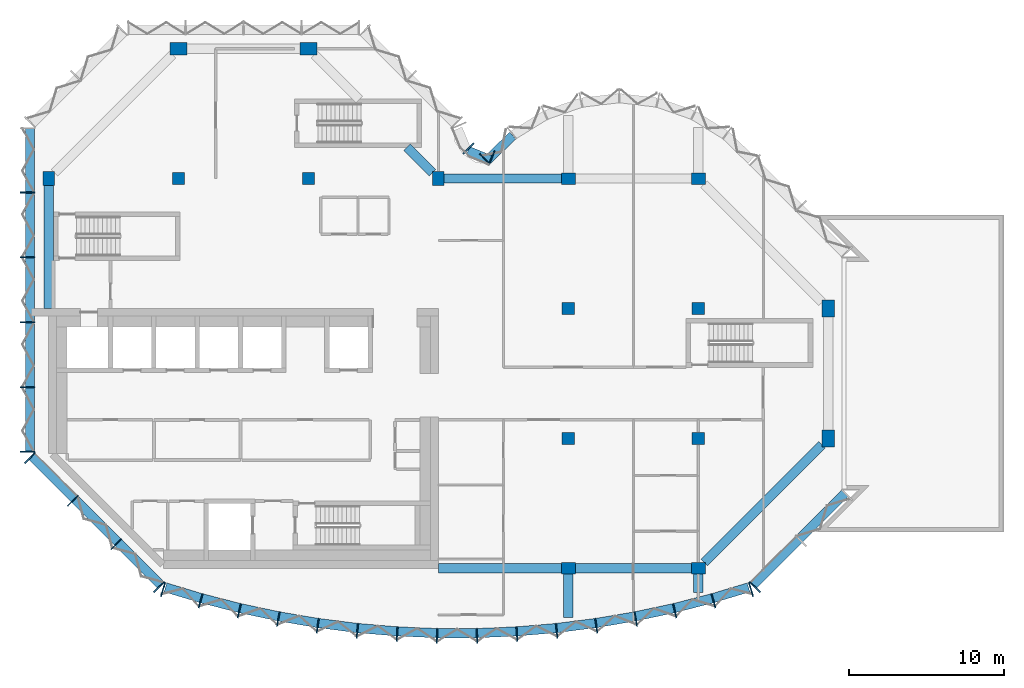
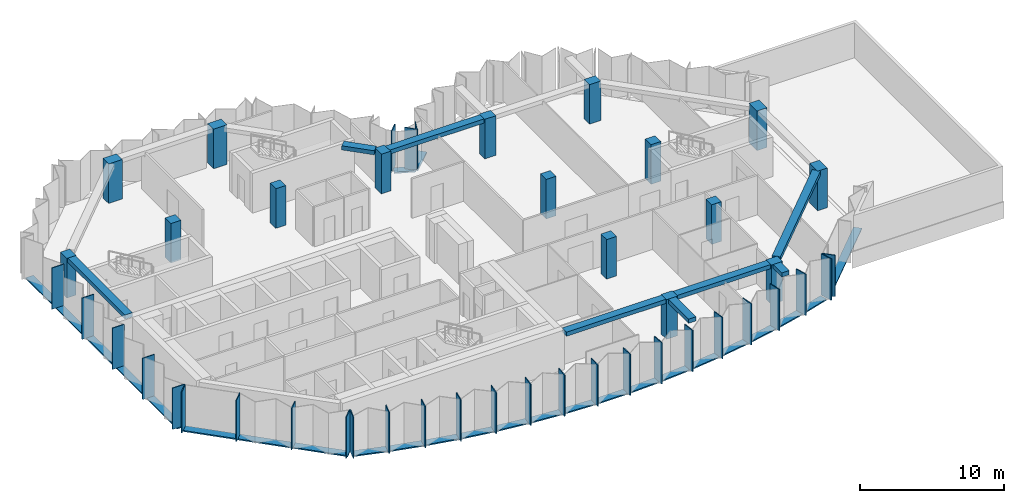
# One storey, part 1 of 9: 49 members, 16 columns, 8 beams, 6 elements without a shape of their own.
"""IFC4 building model written with IfcOpenShell, lengths in metres."""

from ifc_helpers import new_model, si_unit, direction, frame, origin, origin_2d, place, context, subcontext, project, spatial, rectangle, extrude, material, material_profile, profile_set, type_object, element, aggregate, save


model = new_model("IFC4")

# Units and contexts
model_context = context("Model", 3, precision=1e-05, world=origin(), true_north=direction((0.0, 1.0)))
body_context = subcontext(model_context, "Body", "Model", "MODEL_VIEW")
ifc_project = project(units=[si_unit("LENGTHUNIT", "METRE"), si_unit("AREAUNIT", "SQUARE_METRE"), si_unit("VOLUMEUNIT", "CUBIC_METRE"), si_unit("PLANEANGLEUNIT", "RADIAN"), si_unit("MASSUNIT", "GRAM", prefix="KILO")], contexts=[model_context])

# Site, building, storey
site_placement = place(None, origin())
site = spatial("IfcSite", under=ifc_project, at=site_placement, CompositionType="ELEMENT")
building_placement = place(site_placement, origin())
building = spatial("IfcBuilding", under=site, at=building_placement, Name="Brevane Broadcast Tower", CompositionType="ELEMENT")
storey_placement = place(building_placement, frame((0.0, 0.0, 222.89990234375)))
storey = spatial("IfcBuildingStorey", under=building, at=storey_placement, Name="L56", CompositionType="ELEMENT", Elevation=222.89990234375)

# Columns
ifc_material_1 = material(Name="Concrete C50/60", Category="concrete")
ifc_material_profile_1 = material_profile(ifc_material_1, rectangle(XDim=0.75, YDim=0.89990234375, at=origin_2d()), Name="RC 750x900")
ifc_profile_set_1 = profile_set([ifc_material_profile_1], Name="Concrete C50/60")
column_type_1 = type_object("IfcColumnType", Name="RC COLUMN EDGE 750x900 C50/60", PredefinedType="COLUMN", material=ifc_profile_set_1)
for number, where, z_axis, x_axis, name in (
    (1, (0.0, 25.199951171875, 0.0), (0.0, 0.0, 1.0), (1.0, 0.0, 0.0), "CE14 1/D"),
    (2, (25.199951171875, 25.199951171875, 0.0), (0.0, 0.0, 1.0), (1.0, 0.0, 0.0), "CE14 4/D"),
    (3, (33.60009765625, 0.0, 0.0), (0.0, 0.0, 1.0), (0.0, 1.0, 0.0), "CE14 5/A"),
    (4, (33.60009765625, 25.199951171875, 0.0), (0.0, 0.0, 1.0), (0.0, 1.0, 0.0), "CE14 5/D"),
    (5, (42.0, 0.0, 0.0), (0.0, 0.0, 1.0), (0.0, 1.0, 0.0), "CE14 6/A"),
    (6, (42.0, 25.199951171875, 0.0), (0.0, 0.0, 1.0), (0.0, 1.0, 0.0), "CE14 6/D"),
):
    element("IfcColumn", number, at=place(storey_placement, frame(where, z_axis=z_axis, x_axis=x_axis)), inside=storey, type_object=column_type_1, Name=name, PredefinedType="COLUMN", context=body_context, shape_type="SweptSolid", body=[
        extrude(rectangle(XDim=0.75, YDim=0.89990234375, at=origin_2d()), origin(), (0.0, 0.0, 1.0), 3.35009765625),
    ])
ifc_material_profile_2 = material_profile(ifc_material_1, rectangle(XDim=0.800048828125, YDim=0.800048828125, at=origin_2d()), Name="RC 800x800")
ifc_profile_set_2 = profile_set([ifc_material_profile_2], Name="Concrete C50/60")
column_type_2 = type_object("IfcColumnType", Name="RC COLUMN INTERIOR 800x800 C50/60", PredefinedType="COLUMN", material=ifc_profile_set_2)
for number, where, z_axis, x_axis, name in (
    (7, (8.39990234375, 25.199951171875, 0.0), (0.0, 0.0, 1.0), (1.0, 0.0, 0.0), "CI15 2/D"),
    (8, (16.800048828125, 25.199951171875, 0.0), (0.0, 0.0, 1.0), (1.0, 0.0, 0.0), "CI15 3/D"),
    (9, (33.60009765625, 8.39990234375, 0.0), (0.0, 0.0, 1.0), (1.0, 0.0, 0.0), "CI15 5/B"),
    (10, (33.60009765625, 16.800048828125, 0.0), (0.0, 0.0, 1.0), (1.0, 0.0, 0.0), "CI15 5/C"),
    (11, (42.0, 8.39990234375, 0.0), (0.0, 0.0, 1.0), (1.0, 0.0, 0.0), "CI15 6/B"),
    (12, (42.0, 16.800048828125, 0.0), (0.0, 0.0, 1.0), (1.0, 0.0, 0.0), "CI15 6/C"),
):
    element("IfcColumn", number, at=place(storey_placement, frame(where, z_axis=z_axis, x_axis=x_axis)), inside=storey, type_object=column_type_2, Name=name, PredefinedType="COLUMN", context=body_context, shape_type="SweptSolid", body=[
        extrude(rectangle(XDim=0.800048828125, YDim=0.800048828125, at=origin_2d()), origin(), (0.0, 0.0, 1.0), 3.35009765625),
    ])
ifc_material_profile_3 = material_profile(ifc_material_1, rectangle(XDim=0.800048828125, YDim=1.10009765625, at=origin_2d()), Name="RC 800x1100")
ifc_profile_set_3 = profile_set([ifc_material_profile_3], Name="Concrete C50/60")
column_type_3 = type_object("IfcColumnType", Name="RC COLUMN WING-END 800x1100 C50/60", PredefinedType="COLUMN", material=ifc_profile_set_3)
for number, where, z_axis, x_axis, name in (
    (13, (8.39990234375, 33.60009765625, 0.0), (0.0, 0.0, 1.0), (0.0, 1.0, 0.0), "CW16 2/E"),
    (14, (16.800048828125, 33.60009765625, 0.0), (0.0, 0.0, 1.0), (0.0, 1.0, 0.0), "CW16 3/E"),
    (15, (50.39990234375, 8.39990234375, 0.0), (0.0, 0.0, 1.0), (1.0, 0.0, 0.0), "CW16 7/B"),
    (16, (50.39990234375, 16.800048828125, 0.0), (0.0, 0.0, 1.0), (1.0, 0.0, 0.0), "CW16 7/C"),
):
    element("IfcColumn", number, at=place(storey_placement, frame(where, z_axis=z_axis, x_axis=x_axis)), inside=storey, type_object=column_type_3, Name=name, PredefinedType="COLUMN", context=body_context, shape_type="SweptSolid", body=[
        extrude(rectangle(XDim=0.800048828125, YDim=1.10009765625, at=origin_2d()), origin(), (0.0, 0.0, 1.0), 3.35009765625),
    ])

# Curtain wall, members
ifc_material_2 = material(Name="Aluminium 6063-T6 bronze anodised", Category="aluminium")
curtain_wall_type = type_object("IfcCurtainWallType", Name="CW-1 curtain wall", PredefinedType="NOTDEFINED", material=ifc_material_2)
curtain_wall_1_placement = place(storey_placement, origin())
curtain_wall_1 = element("IfcCurtainWall", 17, at=curtain_wall_1_placement, inside=storey, type_object=curtain_wall_type, Name="CW-1 typical tilted unit L56 south bow", PredefinedType="NOTDEFINED")
ifc_material_profile_4 = material_profile(ifc_material_2, rectangle(XDim=0.949951171875, YDim=0.070068359375, at=origin_2d()), Name="RECT 70x950")
ifc_profile_set_4 = profile_set([ifc_material_profile_4], Name="Aluminium 6063-T6 bronze anodised")
member_type_1 = type_object("IfcMemberType", Name="CW-1 mullion 70x950", PredefinedType="MULLION", material=ifc_profile_set_4)
member_1_placement = place(storey_placement, frame((7.396240234375, -1.36474609375, -0.14990234375), z_axis=(0.0, 0.0, 1.0), x_axis=(0.288968122518, 0.957338719664, 0.0)))
member_1 = element("IfcMember", 18, at=member_1_placement, type_object=member_type_1, Name="CW-1 mullion", PredefinedType="MULLION", context=body_context, shape_type="SweptSolid", body=[
    extrude(rectangle(XDim=0.949951171875, YDim=0.070068359375, at=origin_2d()), origin(), (0.0, 0.0, 1.0), 3.5),
])
member_2_placement = place(storey_placement, frame((9.824951171875, -2.097900390625, -0.14990234375), z_axis=(0.0, 0.0, 1.0), x_axis=(0.268915519935, 0.963163767559, 0.0)))
member_2 = element("IfcMember", 19, at=member_2_placement, type_object=member_type_1, Name="CW-1 mullion", PredefinedType="MULLION", context=body_context, shape_type="SweptSolid", body=[
    extrude(rectangle(XDim=0.949951171875, YDim=0.070068359375, at=origin_2d()), origin(), (0.0, 0.0, 1.0), 3.5),
])
member_3_placement = place(storey_placement, frame((12.325439453125, -2.739990234375, -0.14990234375), z_axis=(0.0, 0.0, 1.0), x_axis=(0.228467410001, 0.97355156133, 0.0)))
member_3 = element("IfcMember", 20, at=member_3_placement, type_object=member_type_1, Name="CW-1 mullion", PredefinedType="MULLION", context=body_context, shape_type="SweptSolid", body=[
    extrude(rectangle(XDim=0.949951171875, YDim=0.070068359375, at=origin_2d()), origin(), (0.0, 0.0, 1.0), 3.5),
])
member_4_placement = place(storey_placement, frame((14.8505859375, -3.277099609375, -0.14990234375), z_axis=(0.0, 0.0, 1.0), x_axis=(0.187620976959, 0.982241502384, 0.0)))
member_4 = element("IfcMember", 21, at=member_4_placement, type_object=member_type_1, Name="CW-1 mullion", PredefinedType="MULLION", context=body_context, shape_type="SweptSolid", body=[
    extrude(rectangle(XDim=0.949951171875, YDim=0.070068359375, at=origin_2d()), origin(), (0.0, 0.0, 1.0), 3.5),
])
member_5_placement = place(storey_placement, frame((17.395751953125, -3.70849609375, -0.14990234375), z_axis=(0.0, 0.0, 1.0), x_axis=(0.146447392256, 0.989218459847, 0.0)))
member_5 = element("IfcMember", 22, at=member_5_placement, type_object=member_type_1, Name="CW-1 mullion", PredefinedType="MULLION", context=body_context, shape_type="SweptSolid", body=[
    extrude(rectangle(XDim=0.949951171875, YDim=0.070068359375, at=origin_2d()), origin(), (0.0, 0.0, 1.0), 3.5),
])
member_6_placement = place(storey_placement, frame((19.95703125, -4.033203125, -0.14990234375), z_axis=(0.0, 0.0, 1.0), x_axis=(0.105018395305, 0.994470279419, 0.0)))
member_6 = element("IfcMember", 23, at=member_6_placement, type_object=member_type_1, Name="CW-1 mullion", PredefinedType="MULLION", context=body_context, shape_type="SweptSolid", body=[
    extrude(rectangle(XDim=0.949951171875, YDim=0.070068359375, at=origin_2d()), origin(), (0.0, 0.0, 1.0), 3.5),
])
member_7_placement = place(storey_placement, frame((22.529296875, -4.250732421875, -0.14990234375), z_axis=(0.0, 0.0, 1.0), x_axis=(0.063406169479, 0.99798780437, 0.0)))
member_7 = element("IfcMember", 24, at=member_7_placement, type_object=member_type_1, Name="CW-1 mullion", PredefinedType="MULLION", context=body_context, shape_type="SweptSolid", body=[
    extrude(rectangle(XDim=0.949951171875, YDim=0.070068359375, at=origin_2d()), origin(), (0.0, 0.0, 1.0), 3.5),
])
member_8_placement = place(storey_placement, frame((25.10888671875, -4.360595703125, -0.14990234375), z_axis=(0.0, 0.0, 1.0), x_axis=(0.021281828243, 0.999773516246, 0.0)))
member_8 = element("IfcMember", 25, at=member_8_placement, type_object=member_type_1, Name="CW-1 mullion", PredefinedType="MULLION", context=body_context, shape_type="SweptSolid", body=[
    extrude(rectangle(XDim=0.949951171875, YDim=0.070068359375, at=origin_2d()), origin(), (0.0, 0.0, 1.0), 3.5),
])
member_9_placement = place(storey_placement, frame((27.691162109375, -4.360595703125, -0.14990234375), z_axis=(0.0, 0.0, 1.0), x_axis=(-0.021281828243, 0.999773516246, 0.0)))
member_9 = element("IfcMember", 26, at=member_9_placement, type_object=member_type_1, Name="CW-1 mullion", PredefinedType="MULLION", context=body_context, shape_type="SweptSolid", body=[
    extrude(rectangle(XDim=0.949951171875, YDim=0.070068359375, at=origin_2d()), origin(), (0.0, 0.0, 1.0), 3.5),
])
member_10_placement = place(storey_placement, frame((30.2705078125, -4.250732421875, -0.14990234375), z_axis=(0.0, 0.0, 1.0), x_axis=(-0.063406169479, 0.99798780437, 0.0)))
member_10 = element("IfcMember", 27, at=member_10_placement, type_object=member_type_1, Name="CW-1 mullion", PredefinedType="MULLION", context=body_context, shape_type="SweptSolid", body=[
    extrude(rectangle(XDim=0.949951171875, YDim=0.070068359375, at=origin_2d()), origin(), (0.0, 0.0, 1.0), 3.5),
])
member_11_placement = place(storey_placement, frame((32.843017578125, -4.033203125, -0.14990234375), z_axis=(0.0, 0.0, 1.0), x_axis=(-0.105018395305, 0.994470279419, 0.0)))
member_11 = element("IfcMember", 28, at=member_11_placement, type_object=member_type_1, Name="CW-1 mullion", PredefinedType="MULLION", context=body_context, shape_type="SweptSolid", body=[
    extrude(rectangle(XDim=0.949951171875, YDim=0.070068359375, at=origin_2d()), origin(), (0.0, 0.0, 1.0), 3.5),
])
member_12_placement = place(storey_placement, frame((35.404296875, -3.70849609375, -0.14990234375), z_axis=(0.0, 0.0, 1.0), x_axis=(-0.146447392256, 0.989218459847, 0.0)))
member_12 = element("IfcMember", 29, at=member_12_placement, type_object=member_type_1, Name="CW-1 mullion", PredefinedType="MULLION", context=body_context, shape_type="SweptSolid", body=[
    extrude(rectangle(XDim=0.949951171875, YDim=0.070068359375, at=origin_2d()), origin(), (0.0, 0.0, 1.0), 3.5),
])
member_13_placement = place(storey_placement, frame((37.949462890625, -3.277099609375, -0.14990234375), z_axis=(0.0, 0.0, 1.0), x_axis=(-0.187620976959, 0.982241502384, 0.0)))
member_13 = element("IfcMember", 30, at=member_13_placement, type_object=member_type_1, Name="CW-1 mullion", PredefinedType="MULLION", context=body_context, shape_type="SweptSolid", body=[
    extrude(rectangle(XDim=0.949951171875, YDim=0.070068359375, at=origin_2d()), origin(), (0.0, 0.0, 1.0), 3.5),
])
member_14_placement = place(storey_placement, frame((40.474609375, -2.739990234375, -0.14990234375), z_axis=(0.0, 0.0, 1.0), x_axis=(-0.228467410001, 0.97355156133, 0.0)))
member_14 = element("IfcMember", 31, at=member_14_placement, type_object=member_type_1, Name="CW-1 mullion", PredefinedType="MULLION", context=body_context, shape_type="SweptSolid", body=[
    extrude(rectangle(XDim=0.949951171875, YDim=0.070068359375, at=origin_2d()), origin(), (0.0, 0.0, 1.0), 3.5),
])
member_15_placement = place(storey_placement, frame((42.97509765625, -2.097900390625, -0.14990234375), z_axis=(0.0, 0.0, 1.0), x_axis=(-0.268915519935, 0.963163767559, 0.0)))
member_15 = element("IfcMember", 32, at=member_15_placement, type_object=member_type_1, Name="CW-1 mullion", PredefinedType="MULLION", context=body_context, shape_type="SweptSolid", body=[
    extrude(rectangle(XDim=0.949951171875, YDim=0.070068359375, at=origin_2d()), origin(), (0.0, 0.0, 1.0), 3.5),
])
member_16_placement = place(storey_placement, frame((45.40380859375, -1.36474609375, -0.14990234375), z_axis=(0.0, 0.0, 1.0), x_axis=(-0.288968122518, 0.957338719664, 0.0)))
member_16 = element("IfcMember", 33, at=member_16_placement, type_object=member_type_1, Name="CW-1 mullion", PredefinedType="MULLION", context=body_context, shape_type="SweptSolid", body=[
    extrude(rectangle(XDim=0.949951171875, YDim=0.070068359375, at=origin_2d()), origin(), (0.0, 0.0, 1.0), 3.5),
])

# Curtain wall, member
curtain_wall_2_placement = place(storey_placement, origin())
curtain_wall_2 = element("IfcCurtainWall", 34, at=curtain_wall_2_placement, inside=storey, type_object=curtain_wall_type, Name="CW-1 typical tilted unit L56 south-east chamfer", PredefinedType="NOTDEFINED")
member_17_placement = place(storey_placement, frame((45.66064453125, -1.211181640625, -0.14990234375), z_axis=(0.0, 0.0, 1.0), x_axis=(-0.707106781187, 0.707106781187, 0.0)))
member_17 = element("IfcMember", 35, at=member_17_placement, type_object=member_type_1, Name="CW-1 mullion", PredefinedType="MULLION", context=body_context, shape_type="SweptSolid", body=[
    extrude(rectangle(XDim=0.949951171875, YDim=0.070068359375, at=origin_2d()), origin(), (0.0, 0.0, 1.0), 3.5),
])

curtain_wall_3_placement = place(storey_placement, origin())
curtain_wall_3 = element("IfcCurtainWall", 36, at=curtain_wall_3_placement, inside=storey, type_object=curtain_wall_type, Name="CW-1 typical tilted unit L56 east bow", PredefinedType="NOTDEFINED")
member_18_placement = place(storey_placement, frame((28.194091796875, 26.465087890625, -0.14990234375), z_axis=(0.0, 0.0, 1.0), x_axis=(0.696812089895, -0.717253728729, 0.0)))
member_18 = element("IfcMember", 37, at=member_18_placement, type_object=member_type_1, Name="CW-1 mullion", PredefinedType="MULLION", context=body_context, shape_type="SweptSolid", body=[
    extrude(rectangle(XDim=0.949951171875, YDim=0.070068359375, at=origin_2d()), origin(), (0.0, 0.0, 1.0), 3.5),
])

# Curtain wall, members
curtain_wall_4_placement = place(storey_placement, origin())
curtain_wall_4 = element("IfcCurtainWall", 38, at=curtain_wall_4_placement, inside=storey, type_object=curtain_wall_type, Name="CW-1 typical tilted unit L56 inner corner", PredefinedType="NOTDEFINED")
member_19_placement = place(storey_placement, frame((28.6494140625, 26.55224609375, -0.14990234375), z_axis=(0.0, 0.0, 1.0), x_axis=(-0.382683432365, -0.923879532511, 0.0)))
member_19 = element("IfcMember", 39, at=member_19_placement, type_object=member_type_1, Name="CW-1 mullion", PredefinedType="MULLION", context=body_context, shape_type="SweptSolid", body=[
    extrude(rectangle(XDim=0.949951171875, YDim=0.070068359375, at=origin_2d()), origin(), (0.0, 0.0, 1.0), 3.5),
])
member_20_placement = place(storey_placement, frame((27.138916015625, 27.138916015625, -0.14990234375), z_axis=(0.0, 0.0, 1.0), x_axis=(-0.707106781187, -0.707106781187, 0.0)))
member_20 = element("IfcMember", 40, at=member_20_placement, type_object=member_type_1, Name="CW-1 mullion", PredefinedType="MULLION", context=body_context, shape_type="SweptSolid", body=[
    extrude(rectangle(XDim=0.949951171875, YDim=0.070068359375, at=origin_2d()), origin(), (0.0, 0.0, 1.0), 3.5),
])

curtain_wall_5_placement = place(storey_placement, origin())
curtain_wall_5 = element("IfcCurtainWall", 41, at=curtain_wall_5_placement, inside=storey, type_object=curtain_wall_type, Name="CW-1 typical tilted unit L56 west face", PredefinedType="NOTDEFINED")
member_21_placement = place(storey_placement, frame((-1.375, 24.300048828125, -0.14990234375), z_axis=(0.0, 0.0, 1.0), x_axis=(1.0, 0.0, 0.0)))
member_21 = element("IfcMember", 42, at=member_21_placement, type_object=member_type_1, Name="CW-1 mullion", PredefinedType="MULLION", context=body_context, shape_type="SweptSolid", body=[
    extrude(rectangle(XDim=0.949951171875, YDim=0.070068359375, at=origin_2d()), origin(), (0.0, 0.0, 1.0), 3.5),
])
member_22_placement = place(storey_placement, frame((-1.375, 20.10009765625, -0.14990234375), z_axis=(0.0, 0.0, 1.0), x_axis=(1.0, 0.0, 0.0)))
member_22 = element("IfcMember", 43, at=member_22_placement, type_object=member_type_1, Name="CW-1 mullion", PredefinedType="MULLION", context=body_context, shape_type="SweptSolid", body=[
    extrude(rectangle(XDim=0.949951171875, YDim=0.070068359375, at=origin_2d()), origin(), (0.0, 0.0, 1.0), 3.5),
])
member_23_placement = place(storey_placement, frame((-1.375, 15.89990234375, -0.14990234375), z_axis=(0.0, 0.0, 1.0), x_axis=(1.0, 0.0, 0.0)))
member_23 = element("IfcMember", 44, at=member_23_placement, type_object=member_type_1, Name="CW-1 mullion", PredefinedType="MULLION", context=body_context, shape_type="SweptSolid", body=[
    extrude(rectangle(XDim=0.949951171875, YDim=0.070068359375, at=origin_2d()), origin(), (0.0, 0.0, 1.0), 3.5),
])
member_24_placement = place(storey_placement, frame((-1.375, 11.699951171875, -0.14990234375), z_axis=(0.0, 0.0, 1.0), x_axis=(1.0, 0.0, 0.0)))
member_24 = element("IfcMember", 45, at=member_24_placement, type_object=member_type_1, Name="CW-1 mullion", PredefinedType="MULLION", context=body_context, shape_type="SweptSolid", body=[
    extrude(rectangle(XDim=0.949951171875, YDim=0.070068359375, at=origin_2d()), origin(), (0.0, 0.0, 1.0), 3.5),
])
member_25_placement = place(storey_placement, frame((-1.375, 7.534912109375, -0.14990234375), z_axis=(0.0, 0.0, 1.0), x_axis=(1.0, 0.0, 0.0)))
member_25 = element("IfcMember", 46, at=member_25_placement, type_object=member_type_1, Name="CW-1 mullion", PredefinedType="MULLION", context=body_context, shape_type="SweptSolid", body=[
    extrude(rectangle(XDim=0.949951171875, YDim=0.070068359375, at=origin_2d()), origin(), (0.0, 0.0, 1.0), 3.5),
])

curtain_wall_6_placement = place(storey_placement, origin())
curtain_wall_6 = element("IfcCurtainWall", 47, at=curtain_wall_6_placement, inside=storey, type_object=curtain_wall_type, Name="CW-1 typical tilted unit L56 south-west chamfer", PredefinedType="NOTDEFINED")
member_26_placement = place(storey_placement, frame((-1.211181640625, 7.139404296875, -0.14990234375), z_axis=(0.0, 0.0, 1.0), x_axis=(0.707106781187, 0.707106781187, 0.0)))
member_26 = element("IfcMember", 48, at=member_26_placement, type_object=member_type_1, Name="CW-1 mullion", PredefinedType="MULLION", context=body_context, shape_type="SweptSolid", body=[
    extrude(rectangle(XDim=0.949951171875, YDim=0.070068359375, at=origin_2d()), origin(), (0.0, 0.0, 1.0), 3.5),
])
member_27_placement = place(storey_placement, frame((1.564208984375, 4.364013671875, -0.14990234375), z_axis=(0.0, 0.0, 1.0), x_axis=(0.707106781187, 0.707106781187, 0.0)))
member_27 = element("IfcMember", 49, at=member_27_placement, type_object=member_type_1, Name="CW-1 mullion", PredefinedType="MULLION", context=body_context, shape_type="SweptSolid", body=[
    extrude(rectangle(XDim=0.949951171875, YDim=0.070068359375, at=origin_2d()), origin(), (0.0, 0.0, 1.0), 3.5),
])
member_28_placement = place(storey_placement, frame((4.364013671875, 1.564208984375, -0.14990234375), z_axis=(0.0, 0.0, 1.0), x_axis=(0.707106781187, 0.707106781187, 0.0)))
member_28 = element("IfcMember", 50, at=member_28_placement, type_object=member_type_1, Name="CW-1 mullion", PredefinedType="MULLION", context=body_context, shape_type="SweptSolid", body=[
    extrude(rectangle(XDim=0.949951171875, YDim=0.070068359375, at=origin_2d()), origin(), (0.0, 0.0, 1.0), 3.5),
])
member_29_placement = place(storey_placement, frame((7.139404296875, -1.211181640625, -0.14990234375), z_axis=(0.0, 0.0, 1.0), x_axis=(0.707106781187, 0.707106781187, 0.0)))
member_29 = element("IfcMember", 51, at=member_29_placement, type_object=member_type_1, Name="CW-1 mullion", PredefinedType="MULLION", context=body_context, shape_type="SweptSolid", body=[
    extrude(rectangle(XDim=0.949951171875, YDim=0.070068359375, at=origin_2d()), origin(), (0.0, 0.0, 1.0), 3.5),
])

# Member
ifc_material_profile_5 = material_profile(ifc_material_2, rectangle(XDim=0.60009765625, YDim=0.10009765625, at=origin_2d()), Name="RECT 100x600")
ifc_profile_set_5 = profile_set([ifc_material_profile_5], Name="Aluminium 6063-T6 bronze anodised")
member_type_2 = type_object("IfcMemberType", Name="CW-1 transom 100x600", PredefinedType="USERDEFINED", material=ifc_profile_set_5)
member_30_placement = place(storey_placement, frame((7.553955078125, -1.229736328125, -0.199951171875), z_axis=(0.957362578524, -0.288889067362, 0.0), x_axis=(0.288889067362, 0.957362578524, 0.0)))
member_30 = element("IfcMember", 52, at=member_30_placement, type_object=member_type_2, Name="CW-1 transom", ObjectType="TRANSOM", PredefinedType="USERDEFINED", context=body_context, shape_type="SweptSolid", body=[
    extrude(rectangle(XDim=0.60009765625, YDim=0.10009765625, at=origin_2d()), origin(), (0.0, 0.0, 1.0), 2.411865234375),
])

member_31_placement = place(storey_placement, frame((9.8759765625, -1.930419921875, -0.199951171875), z_axis=(0.968569727699, -0.248742201052, 0.0), x_axis=(0.248742201052, 0.968569727699, 0.0)))
member_31 = element("IfcMember", 53, at=member_31_placement, type_object=member_type_2, Name="CW-1 transom", ObjectType="TRANSOM", PredefinedType="USERDEFINED", context=body_context, shape_type="SweptSolid", body=[
    extrude(rectangle(XDim=0.60009765625, YDim=0.10009765625, at=origin_2d()), origin(), (0.0, 0.0, 1.0), 2.561767578125),
])

member_32_placement = place(storey_placement, frame((12.370361328125, -2.57080078125, -0.199951171875), z_axis=(0.978117897278, -0.208051385536, 0.0), x_axis=(0.208051385536, 0.978117897278, 0.0)))
member_32 = element("IfcMember", 54, at=member_32_placement, type_object=member_type_2, Name="CW-1 transom", ObjectType="TRANSOM", PredefinedType="USERDEFINED", context=body_context, shape_type="SweptSolid", body=[
    extrude(rectangle(XDim=0.60009765625, YDim=0.10009765625, at=origin_2d()), origin(), (0.0, 0.0, 1.0), 2.561767578125),
])

member_33_placement = place(storey_placement, frame((14.88916015625, -3.1064453125, -0.199951171875), z_axis=(0.985947338221, -0.167056416383, 0.0), x_axis=(0.167056416383, 0.985947338221, 0.0)))
member_33 = element("IfcMember", 55, at=member_33_placement, type_object=member_type_2, Name="CW-1 transom", ObjectType="TRANSOM", PredefinedType="USERDEFINED", context=body_context, shape_type="SweptSolid", body=[
    extrude(rectangle(XDim=0.60009765625, YDim=0.10009765625, at=origin_2d()), origin(), (0.0, 0.0, 1.0), 2.561767578125),
])

member_34_placement = place(storey_placement, frame((17.428466796875, -3.536376953125, -0.199951171875), z_axis=(0.99206678005, -0.12571198798, 0.0), x_axis=(0.12571198798, 0.99206678005, 0.0)))
member_34 = element("IfcMember", 56, at=member_34_placement, type_object=member_type_2, Name="CW-1 transom", ObjectType="TRANSOM", PredefinedType="USERDEFINED", context=body_context, shape_type="SweptSolid", body=[
    extrude(rectangle(XDim=0.60009765625, YDim=0.10009765625, at=origin_2d()), origin(), (0.0, 0.0, 1.0), 2.5615234375),
])

member_35_placement = place(storey_placement, frame((19.983154296875, -3.85986328125, -0.199951171875), z_axis=(0.99644513768, -0.084244214012, 0.0), x_axis=(0.084244214012, 0.99644513768, 0.0)))
member_35 = element("IfcMember", 57, at=member_35_placement, type_object=member_type_2, Name="CW-1 transom", ObjectType="TRANSOM", PredefinedType="USERDEFINED", context=body_context, shape_type="SweptSolid", body=[
    extrude(rectangle(XDim=0.60009765625, YDim=0.10009765625, at=origin_2d()), origin(), (0.0, 0.0, 1.0), 2.561767578125),
])

member_36_placement = place(storey_placement, frame((22.54931640625, -4.076416015625, -0.199951171875), z_axis=(0.999092306129, -0.042597697524, 0.0), x_axis=(0.042597697524, 0.999092306129, 0.0)))
member_36 = element("IfcMember", 58, at=member_36_placement, type_object=member_type_2, Name="CW-1 transom", ObjectType="TRANSOM", PredefinedType="USERDEFINED", context=body_context, shape_type="SweptSolid", body=[
    extrude(rectangle(XDim=0.60009765625, YDim=0.10009765625, at=origin_2d()), origin(), (0.0, 0.0, 1.0), 2.56201171875),
])

member_37_placement = place(storey_placement, frame((25.122314453125, -4.185546875, -0.199951171875), z_axis=(1.0, 0.0, 0.0), x_axis=(0.0, 1.0, 0.0)))
member_37 = element("IfcMember", 59, at=member_37_placement, type_object=member_type_2, Name="CW-1 transom", ObjectType="TRANSOM", PredefinedType="USERDEFINED", context=body_context, shape_type="SweptSolid", body=[
    extrude(rectangle(XDim=0.60009765625, YDim=0.10009765625, at=origin_2d()), origin(), (0.0, 0.0, 1.0), 2.56201171875),
])

member_38_placement = place(storey_placement, frame((27.691162109375, -4.185546875, -0.199951171875), z_axis=(0.999092133182, 0.042601753652, 0.0), x_axis=(-0.042601753652, 0.999092133182, 0.0)))
member_38 = element("IfcMember", 60, at=member_38_placement, type_object=member_type_2, Name="CW-1 transom", ObjectType="TRANSOM", PredefinedType="USERDEFINED", context=body_context, shape_type="SweptSolid", body=[
    extrude(rectangle(XDim=0.60009765625, YDim=0.10009765625, at=origin_2d()), origin(), (0.0, 0.0, 1.0), 2.561767578125),
])

member_39_placement = place(storey_placement, frame((30.26416015625, -4.07568359375, -0.199951171875), z_axis=(0.99644513768, 0.084244214012, 0.0), x_axis=(-0.084244214012, 0.99644513768, 0.0)))
member_39 = element("IfcMember", 61, at=member_39_placement, type_object=member_type_2, Name="CW-1 transom", ObjectType="TRANSOM", PredefinedType="USERDEFINED", context=body_context, shape_type="SweptSolid", body=[
    extrude(rectangle(XDim=0.60009765625, YDim=0.10009765625, at=origin_2d()), origin(), (0.0, 0.0, 1.0), 2.561767578125),
])

member_40_placement = place(storey_placement, frame((32.830322265625, -3.8583984375, -0.199951171875), z_axis=(0.99206678005, 0.12571198798, 0.0), x_axis=(-0.12571198798, 0.99206678005, 0.0)))
member_40 = element("IfcMember", 62, at=member_40_placement, type_object=member_type_2, Name="CW-1 transom", ObjectType="TRANSOM", PredefinedType="USERDEFINED", context=body_context, shape_type="SweptSolid", body=[
    extrude(rectangle(XDim=0.60009765625, YDim=0.10009765625, at=origin_2d()), origin(), (0.0, 0.0, 1.0), 2.5615234375),
])

member_41_placement = place(storey_placement, frame((35.385009765625, -3.534423828125, -0.199951171875), z_axis=(0.9859446783, 0.167072114167, 0.0), x_axis=(-0.167072114167, 0.9859446783, 0.0)))
member_41 = element("IfcMember", 63, at=member_41_placement, type_object=member_type_2, Name="CW-1 transom", ObjectType="TRANSOM", PredefinedType="USERDEFINED", context=body_context, shape_type="SweptSolid", body=[
    extrude(rectangle(XDim=0.60009765625, YDim=0.10009765625, at=origin_2d()), origin(), (0.0, 0.0, 1.0), 2.5615234375),
])

member_42_placement = place(storey_placement, frame((37.924072265625, -3.103759765625, -0.199951171875), z_axis=(0.978117897278, 0.208051385536, 0.0), x_axis=(-0.208051385536, 0.978117897278, 0.0)))
member_42 = element("IfcMember", 64, at=member_42_placement, type_object=member_type_2, Name="CW-1 transom", ObjectType="TRANSOM", PredefinedType="USERDEFINED", context=body_context, shape_type="SweptSolid", body=[
    extrude(rectangle(XDim=0.60009765625, YDim=0.10009765625, at=origin_2d()), origin(), (0.0, 0.0, 1.0), 2.561767578125),
])

member_43_placement = place(storey_placement, frame((40.44287109375, -2.567626953125, -0.199951171875), z_axis=(0.968569727699, 0.248742201052, 0.0), x_axis=(-0.248742201052, 0.968569727699, 0.0)))
member_43 = element("IfcMember", 65, at=member_43_placement, type_object=member_type_2, Name="CW-1 transom", ObjectType="TRANSOM", PredefinedType="USERDEFINED", context=body_context, shape_type="SweptSolid", body=[
    extrude(rectangle(XDim=0.60009765625, YDim=0.10009765625, at=origin_2d()), origin(), (0.0, 0.0, 1.0), 2.561767578125),
])

member_44_placement = place(storey_placement, frame((42.93701171875, -1.926513671875, -0.199951171875), z_axis=(0.957362578524, 0.288889067362, 0.0), x_axis=(-0.288889067362, 0.957362578524, 0.0)))
member_44 = element("IfcMember", 66, at=member_44_placement, type_object=member_type_2, Name="CW-1 transom", ObjectType="TRANSOM", PredefinedType="USERDEFINED", context=body_context, shape_type="SweptSolid", body=[
    extrude(rectangle(XDim=0.60009765625, YDim=0.10009765625, at=origin_2d()), origin(), (0.0, 0.0, 1.0), 2.411865234375),
])

aggregate(curtain_wall_1, [member_1, member_2, member_3, member_4, member_5, member_6, member_7, member_8, member_9, member_10, member_11, member_12, member_13, member_14, member_15, member_16, member_30, member_31, member_32, member_33, member_34, member_35, member_36, member_37, member_38, member_39, member_40, member_41, member_42, member_43, member_44])

member_45_placement = place(storey_placement, frame((45.51220703125, -1.112060546875, -0.199951171875), z_axis=(0.707106781187, 0.707106781187, 0.0), x_axis=(-0.707106781187, 0.707106781187, 0.0)))
member_45 = element("IfcMember", 67, at=member_45_placement, type_object=member_type_2, Name="CW-1 transom", ObjectType="TRANSOM", PredefinedType="USERDEFINED", context=body_context, shape_type="SweptSolid", body=[
    extrude(rectangle(XDim=0.60009765625, YDim=0.10009765625, at=origin_2d()), origin(), (0.0, 0.0, 1.0), 8.4853515625),
])

aggregate(curtain_wall_2, [member_17, member_45])

member_46_placement = place(storey_placement, frame((29.99951171875, 27.974365234375, -0.199951171875), z_axis=(-0.71724215871, -0.696823999134, 0.0), x_axis=(0.696823999134, -0.71724215871, 0.0)))
member_46 = element("IfcMember", 68, at=member_46_placement, type_object=member_type_2, Name="CW-1 transom", ObjectType="TRANSOM", PredefinedType="USERDEFINED", context=body_context, shape_type="SweptSolid", body=[
    extrude(rectangle(XDim=0.60009765625, YDim=0.10009765625, at=origin_2d()), origin(), (0.0, 0.0, 1.0), 2.247802734375),
])

aggregate(curtain_wall_3, [member_18, member_46])

member_47_placement = place(storey_placement, frame((28.528076171875, 26.40673828125, -0.199951171875), z_axis=(-0.923883243627, 0.382674472816, 0.0), x_axis=(-0.382674472816, -0.923883243627, 0.0)))
member_47 = element("IfcMember", 69, at=member_47_placement, type_object=member_type_2, Name="CW-1 transom", ObjectType="TRANSOM", PredefinedType="USERDEFINED", context=body_context, shape_type="SweptSolid", body=[
    extrude(rectangle(XDim=0.60009765625, YDim=0.10009765625, at=origin_2d()), origin(), (0.0, 0.0, 1.0), 1.536865234375),
])

aggregate(curtain_wall_4, [member_19, member_20, member_47])

member_48_placement = place(storey_placement, frame((-1.199951171875, 28.5, -0.199951171875), z_axis=(0.0, -1.0, 0.0), x_axis=(1.0, 0.0, 0.0)))
member_48 = element("IfcMember", 70, at=member_48_placement, type_object=member_type_2, Name="CW-1 transom", ObjectType="TRANSOM", PredefinedType="USERDEFINED", context=body_context, shape_type="SweptSolid", body=[
    extrude(rectangle(XDim=0.60009765625, YDim=0.10009765625, at=origin_2d()), origin(), (0.0, 0.0, 1.0), 21.0),
])

aggregate(curtain_wall_5, [member_21, member_22, member_23, member_24, member_25, member_48])

member_49_placement = place(storey_placement, frame((-1.112060546875, 7.287841796875, -0.199951171875), z_axis=(0.707106781187, -0.707106781187, 0.0), x_axis=(0.707106781187, 0.707106781187, 0.0)))
member_49 = element("IfcMember", 71, at=member_49_placement, type_object=member_type_2, Name="CW-1 transom", ObjectType="TRANSOM", PredefinedType="USERDEFINED", context=body_context, shape_type="SweptSolid", body=[
    extrude(rectangle(XDim=0.60009765625, YDim=0.10009765625, at=origin_2d()), origin(), (0.0, 0.0, 1.0), 11.879150390625),
])

aggregate(curtain_wall_6, [member_26, member_27, member_28, member_29, member_49])

# Beams
ifc_material_3 = material(Name="Concrete C40/50", Category="concrete")
ifc_material_profile_6 = material_profile(ifc_material_3, rectangle(XDim=0.60009765625, YDim=0.35009765625, at=origin_2d()), Name="RC 600x350")
ifc_profile_set_6 = profile_set([ifc_material_profile_6], Name="Concrete C40/50")
beam_type_1 = type_object("IfcBeamType", Name="RC BRACKET BEAM 600x350 C40/50", PredefinedType="BEAM", material=ifc_profile_set_6)
beam_1_placement = place(storey_placement, frame((33.60009765625, -0.375, 3.175048828125), z_axis=(0.0, -1.0, 0.0), x_axis=(1.0, 0.0, 0.0)))
element("IfcBeam", 72, at=beam_1_placement, inside=storey, type_object=beam_type_1, Name="EB2 L56-1", PredefinedType="BEAM", context=body_context, shape_type="SweptSolid", body=[
    extrude(rectangle(XDim=0.60009765625, YDim=0.35009765625, at=origin_2d()), origin(), (0.0, 0.0, 1.0), 2.7958984375),
])
beam_2_placement = place(storey_placement, frame((42.0, -0.375, 3.175048828125), z_axis=(0.0, -1.0, 0.0), x_axis=(1.0, 0.0, 0.0)))
element("IfcBeam", 73, at=beam_2_placement, inside=storey, type_object=beam_type_1, Name="EB2 L56-3", PredefinedType="BEAM", context=body_context, shape_type="SweptSolid", body=[
    extrude(rectangle(XDim=0.60009765625, YDim=0.35009765625, at=origin_2d()), origin(), (0.0, 0.0, 1.0), 1.19384765625),
])
ifc_material_profile_7 = material_profile(ifc_material_3, rectangle(XDim=0.60009765625, YDim=0.35009765625, at=origin_2d()), Name="RC 600x350")
ifc_profile_set_7 = profile_set([ifc_material_profile_7], Name="Concrete C40/50")
beam_type_2 = type_object("IfcBeamType", Name="RC SPANDREL BEAM 600x350 C40/50", PredefinedType="SPANDREL", material=ifc_profile_set_7)
beam_3_placement = place(storey_placement, frame((25.199951171875, 0.0, 3.175048828125), z_axis=(1.0, 0.0, 0.0), x_axis=(0.0, 1.0, 0.0)))
element("IfcBeam", 74, at=beam_3_placement, inside=storey, type_object=beam_type_2, Name="EB1 L56-1", PredefinedType="SPANDREL", context=body_context, shape_type="SweptSolid", body=[
    extrude(rectangle(XDim=0.60009765625, YDim=0.35009765625, at=origin_2d()), origin(), (0.0, 0.0, 1.0), 7.949951171875),
])
beam_4_placement = place(storey_placement, frame((34.050048828125, 0.0, 3.175048828125), z_axis=(1.0, 0.0, 0.0), x_axis=(0.0, 1.0, 0.0)))
element("IfcBeam", 75, at=beam_4_placement, inside=storey, type_object=beam_type_2, Name="EB1 L56-2", PredefinedType="SPANDREL", context=body_context, shape_type="SweptSolid", body=[
    extrude(rectangle(XDim=0.60009765625, YDim=0.35009765625, at=origin_2d()), origin(), (0.0, 0.0, 1.0), 7.5),
])
beam_5_placement = place(storey_placement, frame((42.375, 0.375, 3.175048828125), z_axis=(0.707106781187, 0.707106781187, 0.0), x_axis=(-0.707106781187, 0.707106781187, 0.0)))
element("IfcBeam", 76, at=beam_5_placement, inside=storey, type_object=beam_type_2, Name="EB1 L56-3", PredefinedType="SPANDREL", context=body_context, shape_type="SweptSolid", body=[
    extrude(rectangle(XDim=0.60009765625, YDim=0.35009765625, at=origin_2d()), origin(), (0.0, 0.0, 1.0), 10.783447265625),
])
beam_6_placement = place(storey_placement, frame((33.14990234375, 25.199951171875, 3.175048828125), z_axis=(-1.0, 0.0, 0.0), x_axis=(0.0, -1.0, 0.0)))
element("IfcBeam", 77, at=beam_6_placement, inside=storey, type_object=beam_type_2, Name="EB1 L56-7", PredefinedType="SPANDREL", context=body_context, shape_type="SweptSolid", body=[
    extrude(rectangle(XDim=0.60009765625, YDim=0.35009765625, at=origin_2d()), origin(), (0.0, 0.0, 1.0), 7.574951171875),
])
beam_7_placement = place(storey_placement, frame((24.824951171875, 25.574951171875, 3.175048828125), z_axis=(-0.707106781187, 0.707106781187, 0.0), x_axis=(-0.707106781187, -0.707106781187, 0.0)))
element("IfcBeam", 78, at=beam_7_placement, inside=storey, type_object=beam_type_2, Name="EB1 L56-8", PredefinedType="SPANDREL", context=body_context, shape_type="SweptSolid", body=[
    extrude(rectangle(XDim=0.60009765625, YDim=0.35009765625, at=origin_2d()), origin(), (0.0, 0.0, 1.0), 2.340576171875),
])
beam_8_placement = place(storey_placement, frame((0.0, 24.75, 3.175048828125), z_axis=(0.0, -1.0, 0.0), x_axis=(1.0, 0.0, 0.0)))
element("IfcBeam", 79, at=beam_8_placement, inside=storey, type_object=beam_type_2, Name="EB1 L56-11", PredefinedType="SPANDREL", context=body_context, shape_type="SweptSolid", body=[
    extrude(rectangle(XDim=0.60009765625, YDim=0.35009765625, at=origin_2d()), origin(), (0.0, 0.0, 1.0), 7.949951171875),
])

save(model, "model.ifc")
